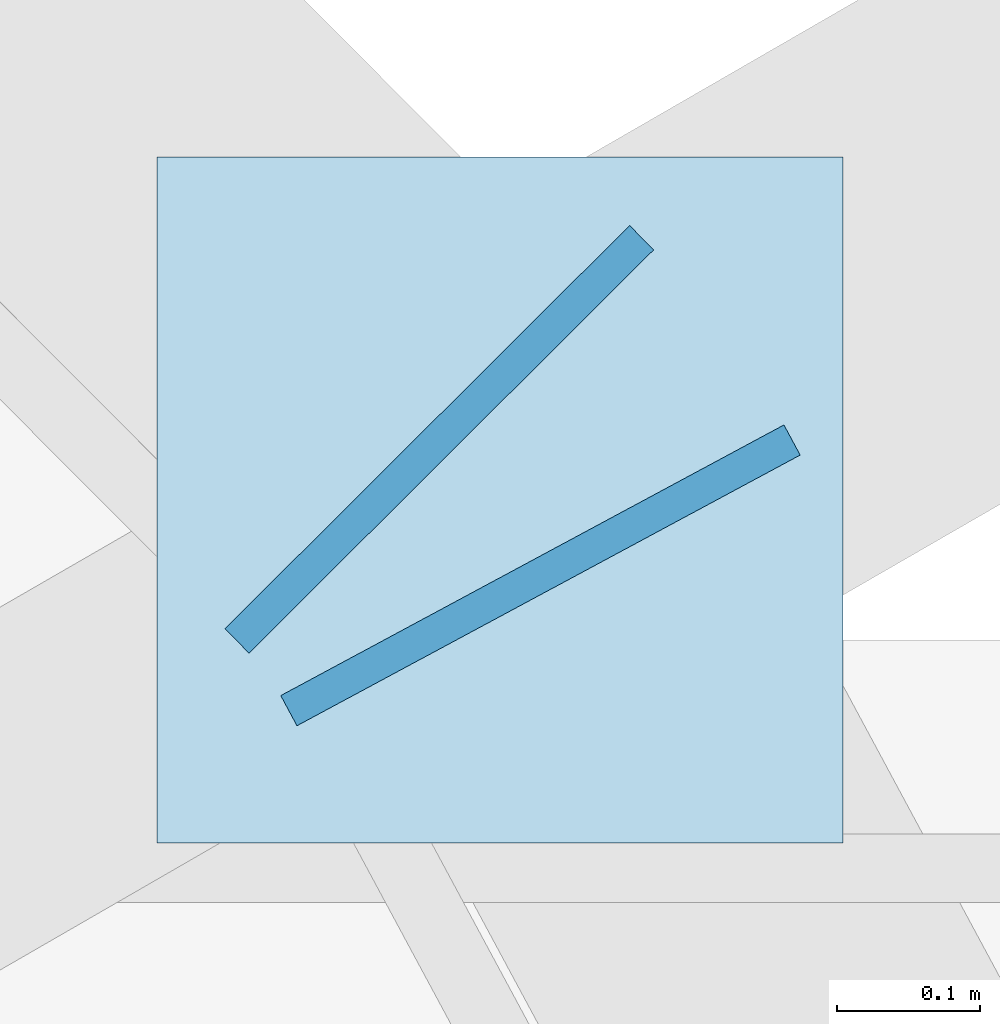
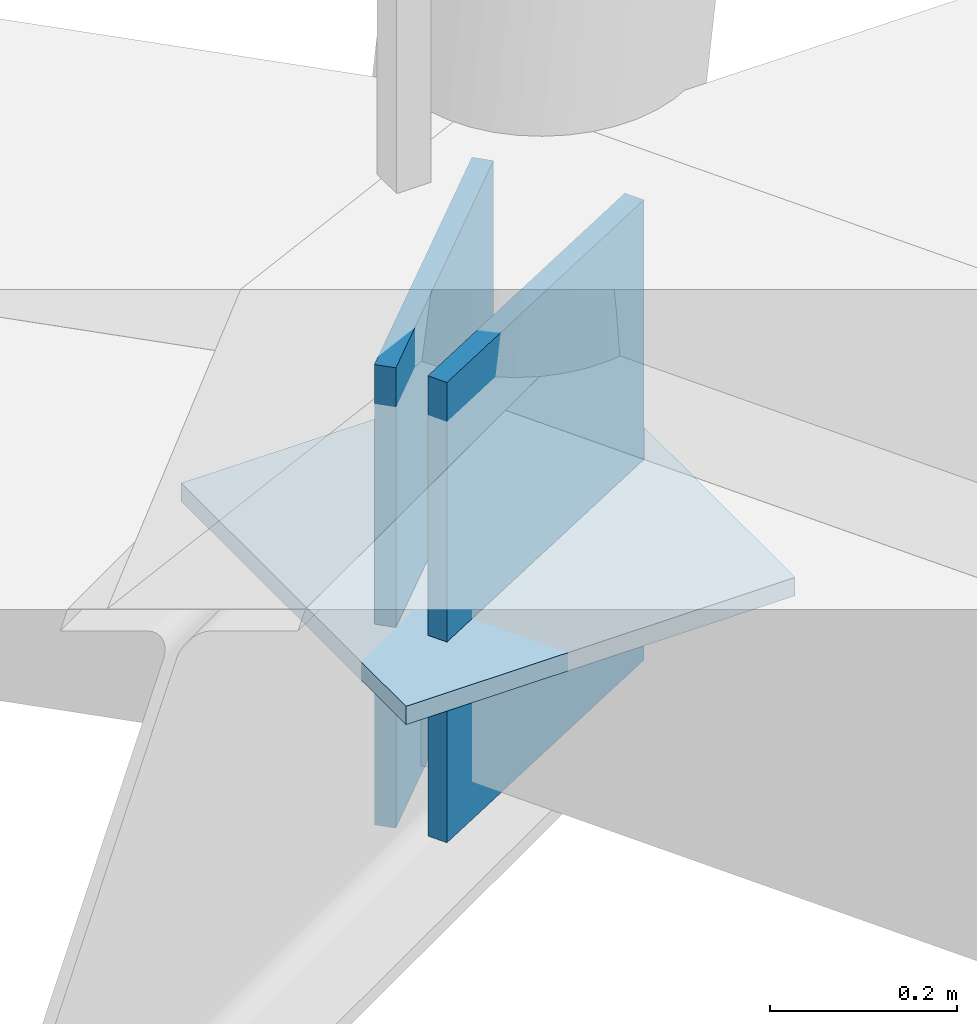
# One storey, part 116 of 179: 3 plates.
"""IFC4 building model written with IfcOpenShell, lengths in metres."""

from ifc_helpers import new_model, si_unit, direction, frame, origin, origin_2d, place, context, subcontext, project, spatial, rectangle, extrude, material, layer, layer_set, type_object, element, save


model = new_model("IFC4")

# Units and contexts
model_context = context("Model", 3, precision=1e-05, world=origin(), true_north=direction((0.0, 1.0)))
body_context = subcontext(model_context, "Body", "Model", "MODEL_VIEW")
ifc_project = project(units=[si_unit("LENGTHUNIT", "METRE"), si_unit("AREAUNIT", "SQUARE_METRE"), si_unit("VOLUMEUNIT", "CUBIC_METRE"), si_unit("PLANEANGLEUNIT", "RADIAN"), si_unit("MASSUNIT", "GRAM", prefix="KILO")], contexts=[model_context])

# Site, building, storey
site_placement = place(None, origin())
site = spatial("IfcSite", under=ifc_project, at=site_placement, CompositionType="ELEMENT")
building_placement = place(site_placement, origin())
building = spatial("IfcBuilding", under=site, at=building_placement, Name="Zlatoyarsky Gate Stadium", CompositionType="ELEMENT")
storey_placement = place(building_placement, frame((0.0, 0.0, 10.60009765625)))
storey = spatial("IfcBuildingStorey", under=building, at=storey_placement, Name="L02", CompositionType="ELEMENT", Elevation=10.60009765625)

# Plates
ifc_material = material(Name="Steel S355", Category="steel")
ifc_layer = layer(ifc_material, 0.02392578125)
ifc_layer_set = layer_set([ifc_layer], Name="Steel S355")
plate_type = type_object("IfcPlateType", Name="STEEL HOLLOW CHORD SPLICE SHEET 24", PredefinedType="SHEET", material=ifc_layer_set)
for number, where, z_axis, x_axis, name in (
    (1, (193.88623046875, 116.78515625, -0.830078125), (0.0, 0.0, 1.0), (-0.473714375599, 0.880678539735, 0.0), "Hollow end cap ND-SP1 CAP-L02-SPD-01 B"),
    (2, (193.8154296875, 116.88037109375, -0.830078125), (0.0, 0.0, 1.0), (-0.705849920208, 0.708361412093, 0.0), "Hollow end cap ND-SP1 CAP-L02-SPD-02 A"),
):
    element("IfcPlate", number, at=place(storey_placement, frame(where, z_axis=z_axis, x_axis=x_axis)), inside=storey, type_object=plate_type, Name=name, PredefinedType="SHEET", context=body_context, shape_type="SweptSolid", body=[
        extrude(rectangle(XDim=0.02392578125, YDim=0.39990234375, at=origin_2d()), origin(), (0.0, 0.0, 1.0), 0.60009765625),
    ])
plate_placement = place(storey_placement, frame((193.85791015625, 116.837890625, -0.592041015625), z_axis=(0.0, 0.0, 1.0), x_axis=(1.0, 0.0, 0.0)))
element("IfcPlate", 3, at=plate_placement, inside=storey, type_object=plate_type, Name="Node closure plate ND-SP1 NCAP-L02-RSTR-02", PredefinedType="SHEET", context=body_context, shape_type="SweptSolid", body=[
    extrude(rectangle(XDim=0.47998046875, YDim=0.47998046875, at=origin_2d()), origin(), (0.0, 0.0, 1.0), 0.02392578125),
])

save(model, "model.ifc")
